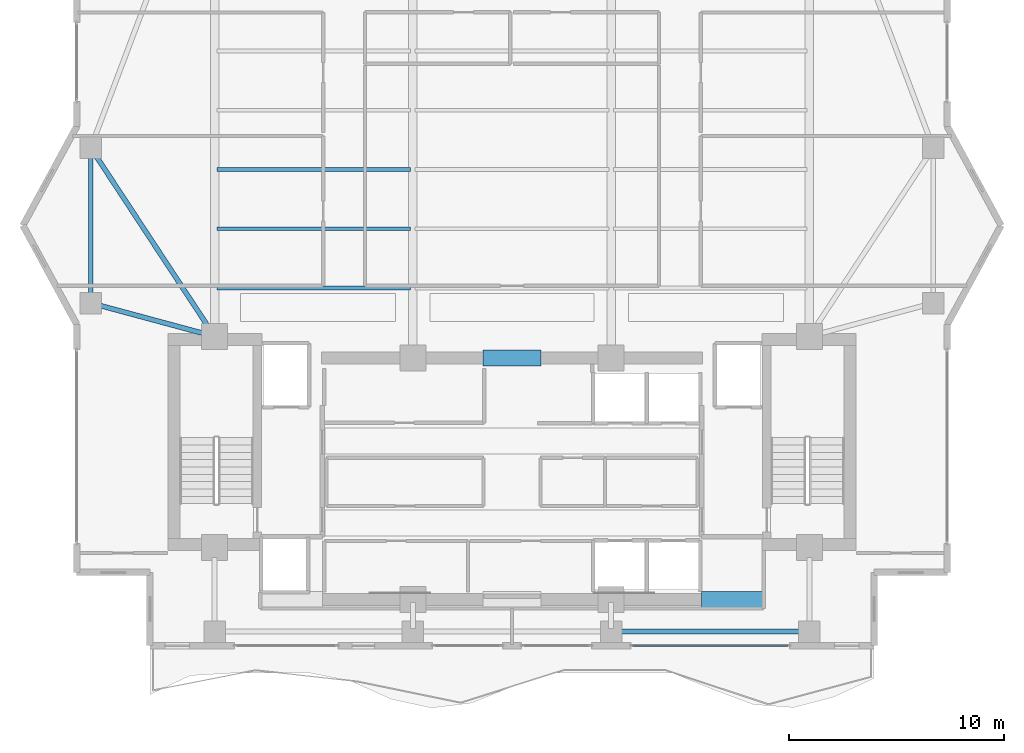
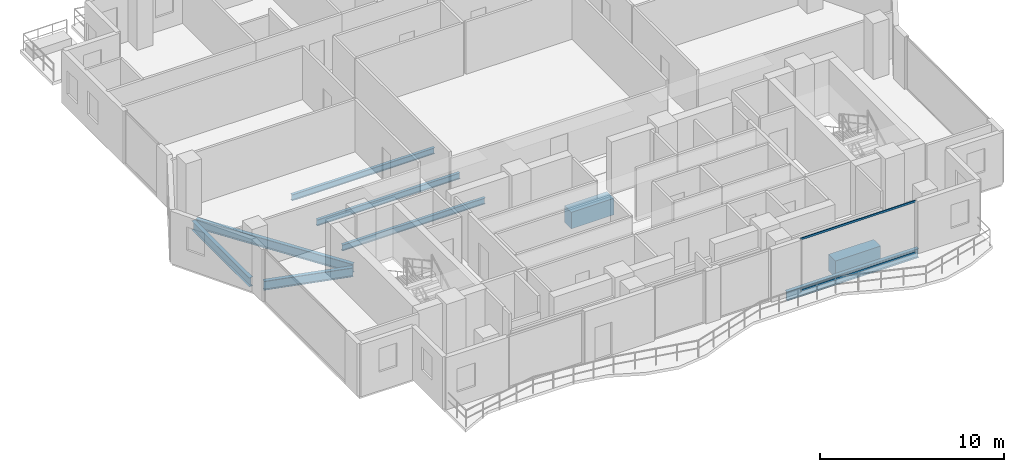
# One storey, part 5 of 24: 9 beams, 2 members, 1 element without a shape of its own.
"""IFC4 building model written with IfcOpenShell, lengths in metres."""

import ifcopenshell
import ifcopenshell.guid

model = None  # the IFC model being written
_history = None  # IfcOwnerHistory: only IFC2X3 demands one
_inside = {}  # id of a spatial element -> (the spatial element, [elements in it])
_under = {}  # id of a project, library or spatial element -> (it, [spatial elements below it])
_declared = {}  # id of a project -> (the project, [libraries it declares])
_typed = {}  # id of a type object -> (the type object, [elements of that type])
_made_of = {}  # id of a material, layer set ... -> (it, [elements and type objects made of it])


def new_model(schema):
    """Start an empty IFC model of exactly this schema.

    Asked for "IFC4X3", IfcOpenShell would pick the latest addendum, in which some entities
    have other attributes; the version numbers below select the first issue.
    IFC2X3 requires an IfcOwnerHistory on every rooted entity: one is made here for all.
    """
    global model, _history
    if schema == "IFC4X3":
        model = ifcopenshell.file(schema_version=(4, 3, 0, 0))
    else:
        model = ifcopenshell.file(schema=schema)
    _inside.clear()
    _under.clear()
    _declared.clear()
    _typed.clear()
    _made_of.clear()
    _history = None
    if model.schema == "IFC2X3":
        org = make("IfcOrganization", Name="unknown")
        user = make(
            "IfcPersonAndOrganization",
            ThePerson=make("IfcPerson", FamilyName="unknown"),
            TheOrganization=org,
        )
        app = make(
            "IfcApplication",
            ApplicationDeveloper=org,
            Version="unknown",
            ApplicationFullName="unknown",
            ApplicationIdentifier="unknown",
        )
        _history = make(
            "IfcOwnerHistory",
            OwningUser=user,
            OwningApplication=app,
            ChangeAction="ADDED",
            CreationDate=0,
        )
    return model


def make(cls, **values):
    """One entity of the class cls with the attributes given. An attribute that is None is left unset."""
    return model.create_entity(
        cls, **{name: value for name, value in values.items() if value is not None}
    )


def rooted(cls, **values):
    """An entity with a GlobalId (a new one), such as an element, a storey or a relation."""
    return make(cls, GlobalId=ifcopenshell.guid.new(), OwnerHistory=_history, **values)


def si_unit(unit_type, name, prefix=None):
    """IfcSIUnit, for example si_unit("LENGTHUNIT", "METRE", prefix="MILLI")."""
    return make("IfcSIUnit", UnitType=unit_type, Prefix=prefix, Name=name)


def assignment(units):
    """IfcUnitAssignment: the units of a project."""
    return None if units is None else make("IfcUnitAssignment", Units=units)


def point(xyz):
    """IfcCartesianPoint."""
    return None if xyz is None else make("IfcCartesianPoint", Coordinates=xyz)


def direction(xyz):
    """IfcDirection."""
    return None if xyz is None else make("IfcDirection", DirectionRatios=xyz)


def frame(location, z_axis=None, x_axis=None):
    """IfcAxis2Placement3D, a coordinate frame: its origin and axes. An axis left out is left unset."""
    return make(
        "IfcAxis2Placement3D",
        Location=point(location),
        Axis=direction(z_axis),
        RefDirection=direction(x_axis),
    )


def frame_2d(location, x_axis=None):
    """IfcAxis2Placement2D, a coordinate frame in the plane: its origin and x axis."""
    return make(
        "IfcAxis2Placement2D", Location=point(location), RefDirection=direction(x_axis)
    )


def origin():
    """The frame at (0, 0, 0) with its axes left unset."""
    return frame((0.0, 0.0, 0.0))


def origin_2d():
    """The frame at (0, 0) in the plane with its x axis left unset."""
    return frame_2d((0.0, 0.0))


def place(relative_to, where):
    """IfcLocalPlacement: puts the frame where relative to a parent placement (None: the world)."""
    return make(
        "IfcLocalPlacement", PlacementRelTo=relative_to, RelativePlacement=where
    )


def context(
    kind, dimensions, precision=None, world=None, true_north=None, identifier=None
):
    """IfcGeometricRepresentationContext, for example the 3D "Model" context."""
    return make(
        "IfcGeometricRepresentationContext",
        ContextIdentifier=identifier,
        ContextType=kind,
        CoordinateSpaceDimension=dimensions,
        Precision=precision,
        WorldCoordinateSystem=world,
        TrueNorth=true_north,
    )


def subcontext(parent, identifier, kind, view, scale=None):
    """IfcGeometricRepresentationSubContext, for example "Body" below "Model"."""
    return make(
        "IfcGeometricRepresentationSubContext",
        ContextIdentifier=identifier,
        ContextType=kind,
        ParentContext=parent,
        TargetScale=scale,
        TargetView=view,
    )


def project(units=None, contexts=None):
    """IfcProject with its units and contexts."""
    return rooted(
        "IfcProject",
        Name="project",
        RepresentationContexts=contexts,
        UnitsInContext=assignment(units),
    )


def spatial(cls, under=None, at=None, **own):
    """A site, building, storey or space (cls), placed at a placement, below another one or the project."""
    s = rooted(cls, ObjectPlacement=at, **own)
    if under is not None:
        _under.setdefault(under.id(), (under, []))[1].append(s)
    return s


def profile(cls, at=None, kind="AREA", **sizes):
    """A parametric profile (cls). Its sizes go by their IFC names, for example OverallWidth=200.0."""
    return make(cls, ProfileType=kind, Position=at, **sizes)


def rectangle(**sizes):
    """IfcRectangleProfileDef."""
    return profile("IfcRectangleProfileDef", **sizes)


def hollow_rectangle(**sizes):
    """IfcRectangleHollowProfileDef."""
    return profile("IfcRectangleHollowProfileDef", **sizes)


def i_section(**sizes):
    """IfcIShapeProfileDef."""
    return profile("IfcIShapeProfileDef", **sizes)


def extrude(swept, where, along, depth):
    """IfcExtrudedAreaSolid: the profile swept, set in the frame where, extruded along a direction by depth."""
    return make(
        "IfcExtrudedAreaSolid",
        SweptArea=swept,
        Position=where,
        ExtrudedDirection=direction(along),
        Depth=depth,
    )


def shape(context_of_items, identifier, shape_type, items):
    """IfcShapeRepresentation: the items that make up one representation, for example the "Body"."""
    return make(
        "IfcShapeRepresentation",
        ContextOfItems=context_of_items,
        RepresentationIdentifier=identifier,
        RepresentationType=shape_type,
        Items=items,
    )


def material(Name=None, Category=None):
    """IfcMaterial."""
    return make("IfcMaterial", Name=Name, Category=Category)


def layer(
    of_material, thickness, ventilated=None, Name=None, Category=None, Priority=None
):
    """IfcMaterialLayer: one layer of a wall or slab, of a material (None: an air gap)."""
    return make(
        "IfcMaterialLayer",
        Material=of_material,
        LayerThickness=thickness,
        IsVentilated=ventilated,
        Name=Name,
        Category=Category,
        Priority=Priority,
    )


def layer_set(layers, Name=None):
    """IfcMaterialLayerSet."""
    return make("IfcMaterialLayerSet", MaterialLayers=layers, LayerSetName=Name)


def material_profile(
    of_material, cross_section, Name=None, Category=None, Priority=None
):
    """IfcMaterialProfile: a cross section and its material."""
    return make(
        "IfcMaterialProfile",
        Name=Name,
        Material=of_material,
        Profile=cross_section,
        Priority=Priority,
        Category=Category,
    )


def profile_set(profiles, Name=None, composite=None):
    """IfcMaterialProfileSet."""
    return make(
        "IfcMaterialProfileSet",
        Name=Name,
        MaterialProfiles=profiles,
        CompositeProfile=composite,
    )


def made_of(thing, what):
    """Note that an element or type object is made of a material, layer set ...; save() writes the relation."""
    if what is not None:
        _made_of.setdefault(what.id(), (what, []))[1].append(thing)
    return thing


def type_object(cls, material=None, **own):
    """A type object (cls), such as IfcWallType, which elements share."""
    return made_of(rooted(cls, **own), material)


def element(
    cls,
    number,
    at=None,
    inside=None,
    cuts=None,
    type_object=None,
    material=None,
    context=None,
    identifier="Body",
    shape_type=None,
    held_by="IfcProductDefinitionShape",
    body=None,
    shapes=None,
    **own,
):
    """One element of the class cls, such as IfcWall. Its Tag is "e" and its number.

    at: its placement. inside: the storey or other place that contains it. cuts: it is an
    opening in that element (IfcRelVoidsElement). A single representation is given by context,
    identifier, shape_type and body (its items); several are given by shapes. held_by: the class
    of the entity that holds the representations. save() writes the other relations.
    """
    e = rooted(cls, Tag="e%d" % number, ObjectPlacement=at, **own)
    if body is not None:
        shapes = [shape(context, identifier, shape_type, body)]
    if shapes is not None:
        e.Representation = make(held_by, Representations=shapes)
    if inside is not None:
        _inside.setdefault(inside.id(), (inside, []))[1].append(e)
    if cuts is not None:
        rooted(
            "IfcRelVoidsElement", RelatingBuildingElement=cuts, RelatedOpeningElement=e
        )
    if type_object is not None:
        _typed.setdefault(type_object.id(), (type_object, []))[1].append(e)
    return made_of(e, material)


def aggregate(whole, parts):
    """IfcRelAggregates: a whole, such as a stair, and the parts it consists of."""
    return rooted("IfcRelAggregates", RelatingObject=whole, RelatedObjects=parts)


def save(model, path):
    """Write the relations noted so far, then the file.

    IfcRelAggregates (storeys below a building ...), IfcRelContainedInSpatialStructure (elements
    in a storey), IfcRelDefinesByType, IfcRelAssociatesMaterial and IfcRelDeclares: one each for
    every whole, place, type object, material and project.
    """
    for whole, parts in _under.values():
        aggregate(whole, parts)
    for where, things in _inside.values():
        rooted(
            "IfcRelContainedInSpatialStructure",
            RelatedElements=things,
            RelatingStructure=where,
        )
    for kind, things in _typed.values():
        rooted("IfcRelDefinesByType", RelatedObjects=things, RelatingType=kind)
    for what, things in _made_of.values():
        rooted("IfcRelAssociatesMaterial", RelatedObjects=things, RelatingMaterial=what)
    for by, libraries in _declared.values():
        rooted("IfcRelDeclares", RelatingContext=by, RelatedDefinitions=libraries)
    model.write(path)


model = new_model("IFC4")

# Units and contexts
model_context = context("Model", 3, precision=1e-05, world=origin(), true_north=direction((0.0, 1.0)))
body_context = subcontext(model_context, "Body", "Model", "MODEL_VIEW")
ifc_project = project(units=[si_unit("LENGTHUNIT", "METRE"), si_unit("AREAUNIT", "SQUARE_METRE"), si_unit("VOLUMEUNIT", "CUBIC_METRE"), si_unit("PLANEANGLEUNIT", "RADIAN"), si_unit("MASSUNIT", "GRAM", prefix="KILO")], contexts=[model_context])

# Site, building, storey
site_placement = place(None, origin())
site = spatial("IfcSite", under=ifc_project, at=site_placement, CompositionType="ELEMENT")
building_placement = place(site_placement, origin())
building = spatial("IfcBuilding", under=site, at=building_placement, Name="Zuhayl Quay Hotel", CompositionType="ELEMENT")
storey_placement = place(building_placement, frame((0.0, 0.0, 276.64990234375)))
storey = spatial("IfcBuildingStorey", under=building, at=storey_placement, Name="L70", CompositionType="ELEMENT", Elevation=276.64990234375)

# Beams
ifc_material_1 = material(Name="Steel ASTM A992 Grade 50", Category="steel")
ifc_material_profile_1 = material_profile(ifc_material_1, i_section(OverallWidth=0.22802734375, OverallDepth=0.60693359375, WebThickness=0.01123046875, FlangeThickness=0.017333984375, at=origin_2d()), Name="W24X76")
ifc_profile_set_1 = profile_set([ifc_material_profile_1], Name="Steel ASTM A992 Grade 50")
beam_type_1 = type_object("IfcBeamType", Name="BM_B3_W24X76", PredefinedType="BEAM", material=ifc_profile_set_1)
beam_1_placement = place(storey_placement, frame((5.06005859375, 0.64990234375, -0.5234375), z_axis=(1.0, 0.0, 0.0), x_axis=(0.0, 1.0, 0.0)))
element("IfcBeam", 1, at=beam_1_placement, inside=storey, type_object=beam_type_1, Name="L70 Floor Beam RG_L70_03", PredefinedType="BEAM", context=body_context, shape_type="SweptSolid", body=[
    extrude(i_section(OverallWidth=0.22802734375, OverallDepth=0.60693359375, WebThickness=0.01123046875, FlangeThickness=0.017333984375, at=origin_2d()), origin(), (0.0, 0.0, 1.0), 8.280029296875),
])
beam_2_placement = place(storey_placement, frame((-19.550048828125, 22.639892578125, -0.5234375), z_axis=(0.0, -1.0, 0.0), x_axis=(1.0, 0.0, 0.0)))
element("IfcBeam", 2, at=beam_2_placement, inside=storey, type_object=beam_type_1, Name="L70 Floor Beam RG_L70_11", PredefinedType="BEAM", context=body_context, shape_type="SweptSolid", body=[
    extrude(i_section(OverallWidth=0.22802734375, OverallDepth=0.60693359375, WebThickness=0.01123046875, FlangeThickness=0.017333984375, at=origin_2d()), origin(), (0.0, 0.0, 1.0), 6.27978515625),
])
beam_3_placement = place(storey_placement, frame((-19.10595703125, 15.7802734375, -0.5234375), z_axis=(0.965530205773, -0.26029103277, 0.0), x_axis=(0.26029103277, 0.965530205773, 0.0)))
element("IfcBeam", 3, at=beam_3_placement, inside=storey, type_object=beam_type_1, Name="L70 Floor Beam FG_W_L70_1", PredefinedType="BEAM", context=body_context, shape_type="SweptSolid", body=[
    extrude(i_section(OverallWidth=0.22802734375, OverallDepth=0.60693359375, WebThickness=0.01123046875, FlangeThickness=0.017333984375, at=origin_2d()), origin(), (0.0, 0.0, 1.0), 5.045166015625),
])
beam_4_placement = place(storey_placement, frame((-19.29736328125, 22.715576171875, -0.5234375), z_axis=(0.549177886661, -0.835705479701, 0.0), x_axis=(0.835705479701, 0.549177886661, 0.0)))
element("IfcBeam", 4, at=beam_4_placement, inside=storey, type_object=beam_type_1, Name="L70 Floor Beam FG_W_L70_2", PredefinedType="BEAM", context=body_context, shape_type="SweptSolid", body=[
    extrude(i_section(OverallWidth=0.22802734375, OverallDepth=0.60693359375, WebThickness=0.01123046875, FlangeThickness=0.017333984375, at=origin_2d()), origin(), (0.0, 0.0, 1.0), 9.560302734375),
])
ifc_material_2 = material(Name="Concrete C60/75", Category="concrete")
ifc_material_profile_2 = material_profile(ifc_material_2, rectangle(XDim=0.75, YDim=1.10009765625, at=origin_2d()), Name="RC750X1100")
ifc_profile_set_2 = profile_set([ifc_material_profile_2], Name="Concrete C60/75")
beam_type_2 = type_object("IfcBeamType", Name="BM_CB2_RC750", PredefinedType="T_BEAM", material=ifc_profile_set_2)
beam_5_placement = place(storey_placement, frame((8.800048828125, 2.14990234375, -0.77001953125), z_axis=(1.0, 0.0, 0.0), x_axis=(0.0, 1.0, 0.0)))
element("IfcBeam", 5, at=beam_5_placement, inside=storey, type_object=beam_type_2, Name="L70 Core Coupling Beam SE", PredefinedType="T_BEAM", context=body_context, shape_type="SweptSolid", body=[
    extrude(rectangle(XDim=0.75, YDim=1.10009765625, at=origin_2d()), origin(), (0.0, 0.0, 1.0), 2.849853515625),
])
beam_6_placement = place(storey_placement, frame((-1.35009765625, 13.35009765625, -0.77001953125), z_axis=(1.0, 0.0, 0.0), x_axis=(0.0, 1.0, 0.0)))
element("IfcBeam", 6, at=beam_6_placement, inside=storey, type_object=beam_type_2, Name="L70 Core Coupling Beam North", PredefinedType="T_BEAM", context=body_context, shape_type="SweptSolid", body=[
    extrude(rectangle(XDim=0.75, YDim=1.10009765625, at=origin_2d()), origin(), (0.0, 0.0, 1.0), 2.7001953125),
])
ifc_material_profile_3 = material_profile(ifc_material_1, i_section(OverallWidth=0.177978515625, OverallDepth=0.404052734375, WebThickness=0.007568359375, FlangeThickness=0.010986328125, at=origin_2d()), Name="W16X36")
ifc_profile_set_3 = profile_set([ifc_material_profile_3], Name="Steel ASTM A992 Grade 50")
beam_type_3 = type_object("IfcBeamType", Name="BM_J3_W16X36", PredefinedType="JOIST", material=ifc_profile_set_3)
for number, where, z_axis, x_axis, name in (
    (7, (-13.694091796875, 16.60009765625, -0.421875), (1.0, 0.0, 0.0), (0.0, 1.0, 0.0), "L70 Floor Beam FJ_L70_1_1"),
    (8, (-13.694091796875, 19.35009765625, -0.421875), (1.0, 0.0, 0.0), (0.0, 1.0, 0.0), "L70 Floor Beam FJ_L70_2_1"),
    (9, (-13.694091796875, 22.10009765625, -0.421875), (1.0, 0.0, 0.0), (0.0, 1.0, 0.0), "L70 Floor Beam FJ_L70_3_1"),
):
    element("IfcBeam", number, at=place(storey_placement, frame(where, z_axis=z_axis, x_axis=x_axis)), inside=storey, type_object=beam_type_3, Name=name, PredefinedType="JOIST", context=body_context, shape_type="SweptSolid", body=[
        extrude(i_section(OverallWidth=0.177978515625, OverallDepth=0.404052734375, WebThickness=0.007568359375, FlangeThickness=0.010986328125, at=origin_2d()), origin(), (0.0, 0.0, 1.0), 8.988037109375),
    ])

# Curtain wall, members
ifc_material_3 = material(Name="Anodised Aluminium 6063-T6", Category="aluminium")
ifc_layer = layer(ifc_material_3, 0.169921875, Name="Anodised Aluminium 6063-T6", Category="aluminium")
ifc_layer_set = layer_set([ifc_layer], Name="Anodised Aluminium 6063-T6")
curtain_wall_type = type_object("IfcCurtainWallType", Name="CW_SYS_Z4", PredefinedType="USERDEFINED", material=ifc_layer_set)
curtain_wall_placement = place(storey_placement, origin())
curtain_wall = element("IfcCurtainWall", 10, at=curtain_wall_placement, inside=storey, type_object=curtain_wall_type, Name="L70 Curtain Wall ENV_L70_S_CW1", ObjectType="UNITISED CURTAIN WALL", PredefinedType="USERDEFINED")
ifc_material_4 = material(Name="Black-anodised aluminium 6063-T6", Category="aluminium")
ifc_material_profile_4 = material_profile(ifc_material_4, hollow_rectangle(XDim=0.054931640625, YDim=0.1298828125, WallThickness=0.0029296875, at=origin_2d()), Name="ALU130X55")
ifc_profile_set_4 = profile_set([ifc_material_profile_4], Name="Black-anodised aluminium 6063-T6")
member_type = type_object("IfcMemberType", Name="MB_CW_TRN_130", PredefinedType="USERDEFINED", material=ifc_profile_set_4)
member_1_placement = place(storey_placement, frame((12.81494140625, 0.0, 0.027587890625), z_axis=(-1.0, 0.0, 0.0), x_axis=(0.0, -1.0, 0.0)))
member_1 = element("IfcMember", 11, at=member_1_placement, type_object=member_type, Name="CW-Z4 transom 1.1", ObjectType="TRANSOM", PredefinedType="USERDEFINED", context=body_context, shape_type="SweptSolid", body=[
    extrude(hollow_rectangle(XDim=0.054931640625, YDim=0.1298828125, WallThickness=0.0029296875, at=origin_2d()), origin(), (0.0, 0.0, 1.0), 7.22998046875),
])
member_2_placement = place(storey_placement, frame((12.81494140625, 0.0, 3.45263671875), z_axis=(-1.0, 0.0, 0.0), x_axis=(0.0, -1.0, 0.0)))
member_2 = element("IfcMember", 12, at=member_2_placement, type_object=member_type, Name="CW-Z4 transom 1.2", ObjectType="TRANSOM", PredefinedType="USERDEFINED", context=body_context, shape_type="SweptSolid", body=[
    extrude(hollow_rectangle(XDim=0.054931640625, YDim=0.1298828125, WallThickness=0.0029296875, at=origin_2d()), origin(), (0.0, 0.0, 1.0), 7.22998046875),
])
aggregate(curtain_wall, [member_1, member_2])

save(model, "model.ifc")
